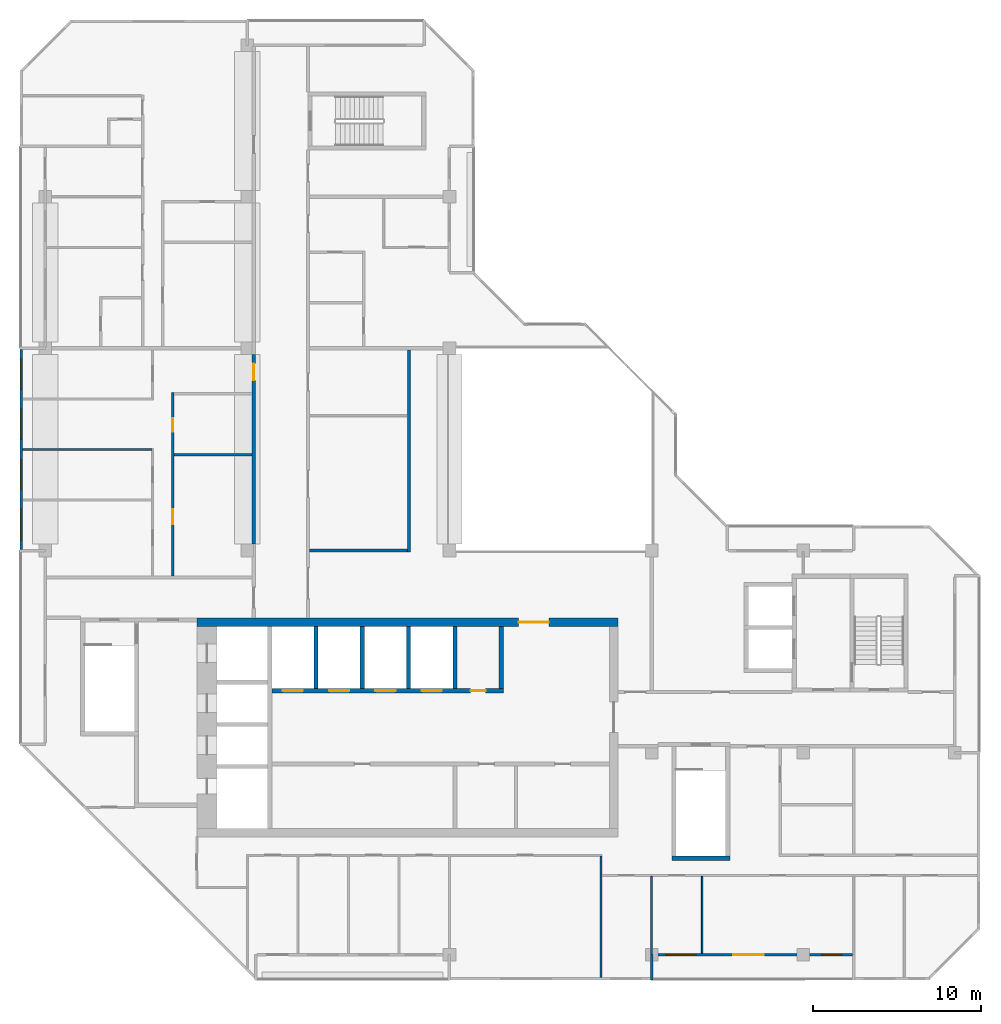
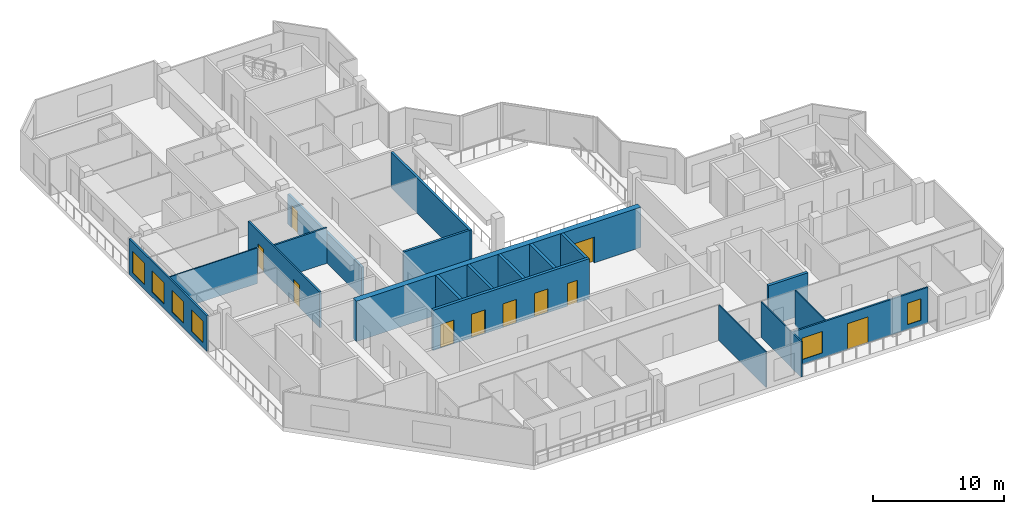
# One storey, part 5 of 11: 20 walls, 10 doors, 6 windows, 16 openings.
"""IFC4 building model written with IfcOpenShell, lengths in metres."""

from ifc_helpers import new_model, si_unit, direction, frame, frame_2d, origin, place, context, subcontext, project, spatial, rectangle, extrude, material, layer, layer_set, type_object, element, fill, save


model = new_model("IFC4")

# Units and contexts
model_context = context("Model", 3, precision=1e-05, world=origin(), true_north=direction((0.0, 1.0)))
body_context = subcontext(model_context, "Body", "Model", "MODEL_VIEW")
ifc_project = project(units=[si_unit("LENGTHUNIT", "METRE"), si_unit("AREAUNIT", "SQUARE_METRE"), si_unit("VOLUMEUNIT", "CUBIC_METRE"), si_unit("PLANEANGLEUNIT", "RADIAN"), si_unit("MASSUNIT", "GRAM", prefix="KILO")], contexts=[model_context])

# Site, building, storey
site_placement = place(None, origin())
site = spatial("IfcSite", under=ifc_project, at=site_placement, CompositionType="ELEMENT")
building_placement = place(site_placement, origin())
building = spatial("IfcBuilding", under=site, at=building_placement, Name="Chenar Terraces", CompositionType="ELEMENT")
storey_placement = place(building_placement, frame((0.0, 0.0, 380.14990234375)))
storey = spatial("IfcBuildingStorey", under=building, at=storey_placement, Name="L89", CompositionType="ELEMENT", Elevation=380.14990234375)

# Wall, openings, doors
ifc_material_1 = material(Name="Concrete C50/60", Category="concrete")
ifc_layer_1 = layer(ifc_material_1, 0.25)
ifc_layer_set_1 = layer_set([ifc_layer_1], Name="Concrete C50/60")
wall_type_1 = type_object("IfcWallType", Name="Core wall 250 Concrete C50/60", PredefinedType="SHEAR", material=ifc_layer_set_1)
wall_1_placement = place(storey_placement, frame((13.449951171875, 15.675048828125, 0.0), z_axis=(0.0, 0.0, 1.0), x_axis=(1.0, 0.0, 0.0)))
wall_1 = element("IfcWall", 1, at=wall_1_placement, inside=storey, type_object=wall_type_1, Name="Core wall NF L89", PredefinedType="SHEAR", context=body_context, shape_type="SweptSolid", body=[
    extrude(rectangle(XDim=13.75, YDim=0.25, at=frame_2d((6.875, 0.0))), origin(), (0.0, 0.0, 1.0), 3.75),
])
opening_1_placement = place(wall_1_placement, frame((0.64990234375, 0.0, 0.0)))
opening_1 = element("IfcOpeningElement", 2, at=opening_1_placement, cuts=wall_1, Name="Opening DL89-LD1", PredefinedType="OPENING", context=body_context, shape_type="SweptSolid", body=[
    extrude(rectangle(XDim=1.199951171875, YDim=2.199951171875, at=frame_2d((0.60009765625, 1.10009765625))), frame((0.0, 0.135009765625, 0.0), z_axis=(0.0, -1.0, 0.0), x_axis=(1.0, 0.0, 0.0)), (0.0, 0.0, 1.0), 0.27001953125),
])
opening_2_placement = place(wall_1_placement, frame((3.39990234375, 0.0, 0.0)))
opening_2 = element("IfcOpeningElement", 3, at=opening_2_placement, cuts=wall_1, Name="Opening DL89-LD2", PredefinedType="OPENING", context=body_context, shape_type="SweptSolid", body=[
    extrude(rectangle(XDim=1.199951171875, YDim=2.199951171875, at=frame_2d((0.60009765625, 1.10009765625))), frame((0.0, 0.135009765625, 0.0), z_axis=(0.0, -1.0, 0.0), x_axis=(1.0, 0.0, 0.0)), (0.0, 0.0, 1.0), 0.27001953125),
])
opening_3_placement = place(wall_1_placement, frame((6.14990234375, 0.0, 0.0)))
opening_3 = element("IfcOpeningElement", 4, at=opening_3_placement, cuts=wall_1, Name="Opening DL89-LD3", PredefinedType="OPENING", context=body_context, shape_type="SweptSolid", body=[
    extrude(rectangle(XDim=1.199951171875, YDim=2.199951171875, at=frame_2d((0.60009765625, 1.10009765625))), frame((0.0, 0.135009765625, 0.0), z_axis=(0.0, -1.0, 0.0), x_axis=(1.0, 0.0, 0.0)), (0.0, 0.0, 1.0), 0.27001953125),
])
opening_4_placement = place(wall_1_placement, frame((8.89990234375, 0.0, 0.0)))
opening_4 = element("IfcOpeningElement", 5, at=opening_4_placement, cuts=wall_1, Name="Opening DL89-LD4", PredefinedType="OPENING", context=body_context, shape_type="SweptSolid", body=[
    extrude(rectangle(XDim=1.199951171875, YDim=2.199951171875, at=frame_2d((0.60009765625, 1.10009765625))), frame((0.0, 0.135009765625, 0.0), z_axis=(0.0, -1.0, 0.0), x_axis=(1.0, 0.0, 0.0)), (0.0, 0.0, 1.0), 0.27001953125),
])
opening_5_placement = place(wall_1_placement, frame((11.800048828125, 0.0, 0.0)))
opening_5 = element("IfcOpeningElement", 6, at=opening_5_placement, cuts=wall_1, Name="Opening DL89-C15", PredefinedType="OPENING", context=body_context, shape_type="SweptSolid", body=[
    extrude(rectangle(XDim=0.89990234375, YDim=2.10009765625, at=frame_2d((0.449951171875, 1.050048828125))), frame((0.0, 0.135009765625, 0.0), z_axis=(0.0, -1.0, 0.0), x_axis=(1.0, 0.0, 0.0)), (0.0, 0.0, 1.0), 0.27001953125),
])
ifc_material_2 = material(Name="Stainless steel", Category="steel")
door_type_1 = type_object("IfcDoorType", Name="Lift landing door 1200 x 2200 sliding", OperationType="DOUBLE_DOOR_SLIDING", PredefinedType="DOOR", material=ifc_material_2)
door_1_placement = place(opening_1_placement, origin())
door_1 = element("IfcDoor", 7, at=door_1_placement, inside=storey, type_object=door_type_1, Name="Landing door H1", OperationType="DOUBLE_DOOR_SLIDING", OverallHeight=2.199951171875, OverallWidth=1.199951171875, PredefinedType="DOOR", context=body_context, shape_type="SweptSolid", body=[
    extrude(rectangle(XDim=1.199951171875, YDim=2.199951171875, at=frame_2d((0.60009765625, 1.10009765625))), frame((0.0, 0.02490234375, 0.0), z_axis=(0.0, -1.0, 0.0), x_axis=(1.0, 0.0, 0.0)), (0.0, 0.0, 1.0), 0.050048828125),
])
fill(opening_1, door_1)
door_2_placement = place(opening_2_placement, origin())
door_2 = element("IfcDoor", 8, at=door_2_placement, inside=storey, type_object=door_type_1, Name="Landing door H2", OperationType="DOUBLE_DOOR_SLIDING", OverallHeight=2.199951171875, OverallWidth=1.199951171875, PredefinedType="DOOR", context=body_context, shape_type="SweptSolid", body=[
    extrude(rectangle(XDim=1.199951171875, YDim=2.199951171875, at=frame_2d((0.60009765625, 1.10009765625))), frame((0.0, 0.02490234375, 0.0), z_axis=(0.0, -1.0, 0.0), x_axis=(1.0, 0.0, 0.0)), (0.0, 0.0, 1.0), 0.050048828125),
])
fill(opening_2, door_2)
door_3_placement = place(opening_3_placement, origin())
door_3 = element("IfcDoor", 9, at=door_3_placement, inside=storey, type_object=door_type_1, Name="Landing door H3", OperationType="DOUBLE_DOOR_SLIDING", OverallHeight=2.199951171875, OverallWidth=1.199951171875, PredefinedType="DOOR", context=body_context, shape_type="SweptSolid", body=[
    extrude(rectangle(XDim=1.199951171875, YDim=2.199951171875, at=frame_2d((0.60009765625, 1.10009765625))), frame((0.0, 0.02490234375, 0.0), z_axis=(0.0, -1.0, 0.0), x_axis=(1.0, 0.0, 0.0)), (0.0, 0.0, 1.0), 0.050048828125),
])
fill(opening_3, door_3)
door_4_placement = place(opening_4_placement, origin())
door_4 = element("IfcDoor", 10, at=door_4_placement, inside=storey, type_object=door_type_1, Name="Landing door H4", OperationType="DOUBLE_DOOR_SLIDING", OverallHeight=2.199951171875, OverallWidth=1.199951171875, PredefinedType="DOOR", context=body_context, shape_type="SweptSolid", body=[
    extrude(rectangle(XDim=1.199951171875, YDim=2.199951171875, at=frame_2d((0.60009765625, 1.10009765625))), frame((0.0, 0.02490234375, 0.0), z_axis=(0.0, -1.0, 0.0), x_axis=(1.0, 0.0, 0.0)), (0.0, 0.0, 1.0), 0.050048828125),
])
fill(opening_4, door_4)
ifc_material_3 = material(Name="Steel-framed fire-resisting door leaf", Category="steel")
door_type_2 = type_object("IfcDoorType", Name="Riser fire door FD60 900 x 2100", OperationType="SINGLE_SWING_LEFT", PredefinedType="DOOR", material=ifc_material_3)
door_5_placement = place(opening_5_placement, origin())
door_5 = element("IfcDoor", 11, at=door_5_placement, inside=storey, type_object=door_type_2, Name="Core room door DL89-C15", OperationType="SINGLE_SWING_RIGHT", OverallHeight=2.10009765625, OverallWidth=0.89990234375, PredefinedType="DOOR", context=body_context, shape_type="SweptSolid", body=[
    extrude(rectangle(XDim=0.89990234375, YDim=2.10009765625, at=frame_2d((0.449951171875, 1.050048828125))), frame((0.0, 0.02490234375, 0.0), z_axis=(0.0, -1.0, 0.0), x_axis=(1.0, 0.0, 0.0)), (0.0, 0.0, 1.0), 0.050048828125),
])
fill(opening_5, door_5)

# Walls
for number, where, z_axis, x_axis, name in (
    (12, (16.074951171875, 15.800048828125, 0.0), (0.0, 0.0, 1.0), (0.0, 1.0, 0.0), "Core wall NS0 L89"),
    (13, (18.824951171875, 15.800048828125, 0.0), (0.0, 0.0, 1.0), (0.0, 1.0, 0.0), "Core wall NS1 L89"),
    (14, (21.574951171875, 15.800048828125, 0.0), (0.0, 0.0, 1.0), (0.0, 1.0, 0.0), "Core wall NS2 L89"),
    (15, (24.324951171875, 15.800048828125, 0.0), (0.0, 0.0, 1.0), (0.0, 1.0, 0.0), "Core wall NS3 L89"),
    (16, (27.074951171875, 15.800048828125, 0.0), (0.0, 0.0, 1.0), (0.0, 1.0, 0.0), "Core wall NE L89"),
):
    element("IfcWall", number, at=place(storey_placement, frame(where, z_axis=z_axis, x_axis=x_axis)), inside=storey, type_object=wall_type_1, Name=name, PredefinedType="SHEAR", context=body_context, shape_type="SweptSolid", body=[
        extrude(rectangle(XDim=3.699951171875, YDim=0.25, at=frame_2d((1.85009765625, 0.0))), origin(), (0.0, 0.0, 1.0), 3.75),
    ])
wall_2_placement = place(storey_placement, frame((37.199951171875, 5.72509765625, 0.0), z_axis=(0.0, 0.0, 1.0), x_axis=(1.0, 0.0, 0.0)))
element("IfcWall", 17, at=wall_2_placement, inside=storey, type_object=wall_type_1, Name="Core wall ST2_S L89", PredefinedType="SHEAR", context=body_context, shape_type="SweptSolid", body=[
    extrude(rectangle(XDim=3.449951171875, YDim=0.25, at=frame_2d((1.72509765625, 0.0))), origin(), (0.0, 0.0, 1.0), 3.75),
])

# Wall, opening, door
ifc_material_4 = material(Name="Concrete C50/60", Category="concrete")
ifc_layer_2 = layer(ifc_material_4, 0.5)
ifc_layer_set_2 = layer_set([ifc_layer_2], Name="Concrete C50/60")
wall_type_2 = type_object("IfcWallType", Name="Core wall 500 Concrete C50/60", PredefinedType="SHEAR", material=ifc_layer_set_2)
wall_3_placement = place(storey_placement, frame((9.0, 19.75, 0.0), z_axis=(0.0, 0.0, 1.0), x_axis=(1.0, 0.0, 0.0)))
wall_3 = element("IfcWall", 18, at=wall_3_placement, inside=storey, type_object=wall_type_2, Name="Core wall N L89", PredefinedType="SHEAR", context=body_context, shape_type="SweptSolid", body=[
    extrude(rectangle(XDim=25.0, YDim=0.5, at=frame_2d((12.5, 0.0))), origin(), (0.0, 0.0, 1.0), 3.75),
])
opening_6_placement = place(wall_3_placement, frame((19.10009765625, 0.0, 0.0)))
opening_6 = element("IfcOpeningElement", 19, at=opening_6_placement, cuts=wall_3, Name="Opening DL89-C2", PredefinedType="OPENING", context=body_context, shape_type="SweptSolid", body=[
    extrude(rectangle(XDim=1.800048828125, YDim=2.39990234375, at=frame_2d((0.89990234375, 1.199951171875))), frame((0.0, 0.260009765625, 0.0), z_axis=(0.0, -1.0, 0.0), x_axis=(1.0, 0.0, 0.0)), (0.0, 0.0, 1.0), 0.52001953125),
])
ifc_material_5 = material(Name="Steel-framed fire-resisting door leaf", Category="steel")
door_type_3 = type_object("IfcDoorType", Name="Core entrance double fire door FD60 1800 x 2400", OperationType="DOUBLE_DOOR_SINGLE_SWING", PredefinedType="DOOR", material=ifc_material_5)
door_6_placement = place(opening_6_placement, frame((1.800048828125, 0.0, 0.0), z_axis=(0.0, 0.0, 1.0), x_axis=(-1.0, 0.0, 0.0)))
door_6 = element("IfcDoor", 20, at=door_6_placement, inside=storey, type_object=door_type_3, Name="Core door DL89-C2", OperationType="DOUBLE_DOOR_SINGLE_SWING", OverallHeight=2.39990234375, OverallWidth=1.800048828125, PredefinedType="DOOR", context=body_context, shape_type="SweptSolid", body=[
    extrude(rectangle(XDim=1.800048828125, YDim=2.39990234375, at=frame_2d((0.89990234375, 1.199951171875))), frame((0.0, 0.02490234375, 0.0), z_axis=(0.0, -1.0, 0.0), x_axis=(1.0, 0.0, 0.0)), (0.0, 0.0, 1.0), 0.050048828125),
])
fill(opening_6, door_6)

# Walls
ifc_material_6 = material(Name="Gypsum board on steel studs with fire boards", Category="steel")
ifc_layer_3 = layer(ifc_material_6, 0.199951171875)
ifc_layer_set_3 = layer_set([ifc_layer_3], Name="Gypsum board on steel studs with fire boards")
wall_type_3 = type_object("IfcWallType", Name="Corridor wall 200", PredefinedType="PARTITIONING", material=ifc_layer_set_3)
wall_4_placement = place(storey_placement, frame((15.699951171875, 24.0, 0.0), z_axis=(0.0, 0.0, 1.0), x_axis=(1.0, 0.0, 0.0)))
element("IfcWall", 21, at=wall_4_placement, inside=storey, type_object=wall_type_3, Name="Partition L89-033", PredefinedType="PARTITIONING", context=body_context, shape_type="SweptSolid", body=[
    extrude(rectangle(XDim=5.800048828125, YDim=0.199951171875, at=frame_2d((2.89990234375, 0.0))), origin(), (0.0, 0.0, 1.0), 3.300048828125),
])
wall_5_placement = place(storey_placement, frame((21.60009765625, 23.89990234375, 0.0), z_axis=(0.0, 0.0, 1.0), x_axis=(0.0, 1.0, 0.0)))
element("IfcWall", 22, at=wall_5_placement, inside=storey, type_object=wall_type_3, Name="Partition L89-044", PredefinedType="PARTITIONING", context=body_context, shape_type="SweptSolid", body=[
    extrude(rectangle(XDim=12.0, YDim=0.199951171875, at=frame_2d((6.0, 0.0))), origin(), (0.0, 0.0, 1.0), 3.300048828125),
])

# Wall, opening, door
wall_6_placement = place(storey_placement, frame((12.375, 24.375, 0.0), z_axis=(0.0, 0.0, 1.0), x_axis=(0.0, 1.0, 0.0)))
wall_6 = element("IfcWall", 23, at=wall_6_placement, inside=storey, type_object=wall_type_3, Name="Partition L89-029", PredefinedType="PARTITIONING", context=body_context, shape_type="SweptSolid", body=[
    extrude(rectangle(XDim=11.25, YDim=0.199951171875, at=frame_2d((5.625, 0.0))), origin(), (0.0, 0.0, 1.0), 2.800048828125),
])
opening_7_placement = place(wall_6_placement, frame((9.72509765625, 0.0, 0.0)))
opening_7 = element("IfcOpeningElement", 24, at=opening_7_placement, cuts=wall_6, Name="Opening DL89-43", PredefinedType="OPENING", context=body_context, shape_type="SweptSolid", body=[
    extrude(rectangle(XDim=1.0, YDim=2.10009765625, at=frame_2d((0.5, 1.050048828125))), frame((0.0, 0.10986328125, 0.0), z_axis=(0.0, -1.0, 0.0), x_axis=(1.0, 0.0, 0.0)), (0.0, 0.0, 1.0), 0.219970703125),
])
ifc_material_7 = material(Name="Steel-framed fire-resisting door leaf", Category="steel")
door_type_4 = type_object("IfcDoorType", Name="Fire door FD30S 1000 x 2100", OperationType="SINGLE_SWING_LEFT", PredefinedType="DOOR", material=ifc_material_7)
door_7_placement = place(opening_7_placement, origin())
door_7 = element("IfcDoor", 25, at=door_7_placement, inside=storey, type_object=door_type_4, Name="Door DL89-43", OperationType="SINGLE_SWING_RIGHT", OverallHeight=2.10009765625, OverallWidth=1.0, PredefinedType="DOOR", context=body_context, shape_type="SweptSolid", body=[
    extrude(rectangle(XDim=1.0, YDim=2.10009765625, at=frame_2d((0.5, 1.050048828125))), frame((0.0, 0.02490234375, 0.0), z_axis=(0.0, -1.0, 0.0), x_axis=(1.0, 0.0, 0.0)), (0.0, 0.0, 1.0), 0.050048828125),
])
fill(opening_7, door_7)

# Wall, openings, windows
ifc_material_8 = material(Name="Aluminium framed glazing", Category="aluminium")
ifc_layer_4 = layer(ifc_material_8, 0.14990234375)
ifc_layer_set_4 = layer_set([ifc_layer_4], Name="Aluminium framed glazing")
wall_type_4 = type_object("IfcWallType", Name="Glazed flush facade wall 150", PredefinedType="SOLIDWALL", material=ifc_layer_set_4)
wall_7_placement = place(storey_placement, frame((-1.425048828125, 35.925048828125, 0.0), z_axis=(0.0, 0.0, 1.0), x_axis=(0.0, -1.0, 0.0)))
wall_7 = element("IfcWall", 26, at=wall_7_placement, inside=storey, type_object=wall_type_4, Name="Glazed flush facade wall", PredefinedType="SOLIDWALL", context=body_context, shape_type="SweptSolid", body=[
    extrude(rectangle(XDim=11.85009765625, YDim=0.14990234375, at=frame_2d((5.925048828125, 0.0))), origin(), (0.0, 0.0, 1.0), 3.300048828125),
])
opening_8_placement = place(wall_7_placement, frame((0.5625, 0.0, 0.449951171875)))
opening_8 = element("IfcOpeningElement", 27, at=opening_8_placement, cuts=wall_7, Name="Opening W180x200", PredefinedType="OPENING", context=body_context, shape_type="SweptSolid", body=[
    extrude(rectangle(XDim=1.800048828125, YDim=2.0, at=frame_2d((0.89990234375, 1.0))), frame((0.0, 0.0849609375, 0.0), z_axis=(0.0, -1.0, 0.0), x_axis=(1.0, 0.0, 0.0)), (0.0, 0.0, 1.0), 0.169921875),
])
opening_9_placement = place(wall_7_placement, frame((3.52490234375, 0.0, 0.449951171875)))
opening_9 = element("IfcOpeningElement", 28, at=opening_9_placement, cuts=wall_7, Name="Opening W180x200", PredefinedType="OPENING", context=body_context, shape_type="SweptSolid", body=[
    extrude(rectangle(XDim=1.800048828125, YDim=2.0, at=frame_2d((0.89990234375, 1.0))), frame((0.0, 0.0849609375, 0.0), z_axis=(0.0, -1.0, 0.0), x_axis=(1.0, 0.0, 0.0)), (0.0, 0.0, 1.0), 0.169921875),
])
opening_10_placement = place(wall_7_placement, frame((6.52490234375, 0.0, 0.449951171875)))
opening_10 = element("IfcOpeningElement", 29, at=opening_10_placement, cuts=wall_7, Name="Opening W180x200", PredefinedType="OPENING", context=body_context, shape_type="SweptSolid", body=[
    extrude(rectangle(XDim=1.800048828125, YDim=2.0, at=frame_2d((0.89990234375, 1.0))), frame((0.0, 0.0849609375, 0.0), z_axis=(0.0, -1.0, 0.0), x_axis=(1.0, 0.0, 0.0)), (0.0, 0.0, 1.0), 0.169921875),
])
opening_11_placement = place(wall_7_placement, frame((9.487548828125, 0.0, 0.449951171875)))
opening_11 = element("IfcOpeningElement", 30, at=opening_11_placement, cuts=wall_7, Name="Opening W180x200", PredefinedType="OPENING", context=body_context, shape_type="SweptSolid", body=[
    extrude(rectangle(XDim=1.800048828125, YDim=2.0, at=frame_2d((0.89990234375, 1.0))), frame((0.0, 0.0849609375, 0.0), z_axis=(0.0, -1.0, 0.0), x_axis=(1.0, 0.0, 0.0)), (0.0, 0.0, 1.0), 0.169921875),
])
ifc_material_9 = material(Name="Low emissivity double glazing, aluminium frame", Category="aluminium")
window_type_1 = type_object("IfcWindowType", Name="Fixed light 1800 x 2000", PartitioningType="SINGLE_PANEL", PredefinedType="WINDOW", material=ifc_material_9)
window_1_placement = place(opening_8_placement, origin())
window_1 = element("IfcWindow", 31, at=window_1_placement, inside=storey, type_object=window_type_1, Name="Window", OverallHeight=2.0, OverallWidth=1.800048828125, PartitioningType="SINGLE_PANEL", PredefinedType="WINDOW", context=body_context, shape_type="SweptSolid", body=[
    extrude(rectangle(XDim=1.800048828125, YDim=2.0, at=frame_2d((0.89990234375, 1.0))), frame((0.0, 0.030029296875, 0.0), z_axis=(0.0, -1.0, 0.0), x_axis=(1.0, 0.0, 0.0)), (0.0, 0.0, 1.0), 0.06005859375),
])
fill(opening_8, window_1)
window_2_placement = place(opening_9_placement, origin())
window_2 = element("IfcWindow", 32, at=window_2_placement, inside=storey, type_object=window_type_1, Name="Window", OverallHeight=2.0, OverallWidth=1.800048828125, PartitioningType="SINGLE_PANEL", PredefinedType="WINDOW", context=body_context, shape_type="SweptSolid", body=[
    extrude(rectangle(XDim=1.800048828125, YDim=2.0, at=frame_2d((0.89990234375, 1.0))), frame((0.0, 0.030029296875, 0.0), z_axis=(0.0, -1.0, 0.0), x_axis=(1.0, 0.0, 0.0)), (0.0, 0.0, 1.0), 0.06005859375),
])
fill(opening_9, window_2)
window_3_placement = place(opening_10_placement, origin())
window_3 = element("IfcWindow", 33, at=window_3_placement, inside=storey, type_object=window_type_1, Name="Window", OverallHeight=2.0, OverallWidth=1.800048828125, PartitioningType="SINGLE_PANEL", PredefinedType="WINDOW", context=body_context, shape_type="SweptSolid", body=[
    extrude(rectangle(XDim=1.800048828125, YDim=2.0, at=frame_2d((0.89990234375, 1.0))), frame((0.0, 0.030029296875, 0.0), z_axis=(0.0, -1.0, 0.0), x_axis=(1.0, 0.0, 0.0)), (0.0, 0.0, 1.0), 0.06005859375),
])
fill(opening_10, window_3)
window_4_placement = place(opening_11_placement, origin())
window_4 = element("IfcWindow", 34, at=window_4_placement, inside=storey, type_object=window_type_1, Name="Window", OverallHeight=2.0, OverallWidth=1.800048828125, PartitioningType="SINGLE_PANEL", PredefinedType="WINDOW", context=body_context, shape_type="SweptSolid", body=[
    extrude(rectangle(XDim=1.800048828125, YDim=2.0, at=frame_2d((0.89990234375, 1.0))), frame((0.0, 0.030029296875, 0.0), z_axis=(0.0, -1.0, 0.0), x_axis=(1.0, 0.0, 0.0)), (0.0, 0.0, 1.0), 0.06005859375),
])
fill(opening_11, window_4)

# Wall, openings, windows, door
ifc_material_10 = material(Name="Aluminium framed glazing", Category="aluminium")
ifc_layer_5 = layer(ifc_material_10, 0.14990234375)
ifc_layer_set_5 = layer_set([ifc_layer_5], Name="Aluminium framed glazing")
wall_type_5 = type_object("IfcWallType", Name="Glazed loggia back wall 150", PredefinedType="SOLIDWALL", material=ifc_layer_set_5)
wall_8_placement = place(storey_placement, frame((36.074951171875, 0.0, 0.0), z_axis=(0.0, 0.0, 1.0), x_axis=(1.0, 0.0, 0.0)))
wall_8 = element("IfcWall", 35, at=wall_8_placement, inside=storey, type_object=wall_type_5, Name="Glazed loggia back wall", PredefinedType="SOLIDWALL", context=body_context, shape_type="SweptSolid", body=[
    extrude(rectangle(XDim=11.85009765625, YDim=0.14990234375, at=frame_2d((5.925048828125, 0.0))), origin(), (0.0, 0.0, 1.0), 3.300048828125),
])
opening_12_placement = place(wall_8_placement, frame((0.762451171875, 0.0, 0.449951171875)))
opening_12 = element("IfcOpeningElement", 36, at=opening_12_placement, cuts=wall_8, Name="Opening W180x200", PredefinedType="OPENING", context=body_context, shape_type="SweptSolid", body=[
    extrude(rectangle(XDim=1.800048828125, YDim=2.0, at=frame_2d((0.89990234375, 1.0))), frame((0.0, 0.0849609375, 0.0), z_axis=(0.0, -1.0, 0.0), x_axis=(1.0, 0.0, 0.0)), (0.0, 0.0, 1.0), 0.169921875),
])
opening_13_placement = place(wall_8_placement, frame((4.78759765625, 0.0, 0.0)))
opening_13 = element("IfcOpeningElement", 37, at=opening_13_placement, cuts=wall_8, Name="Opening DL89-G4", PredefinedType="OPENING", context=body_context, shape_type="SweptSolid", body=[
    extrude(rectangle(XDim=1.800048828125, YDim=2.39990234375, at=frame_2d((0.89990234375, 1.199951171875))), frame((0.0, 0.0849609375, 0.0), z_axis=(0.0, -1.0, 0.0), x_axis=(1.0, 0.0, 0.0)), (0.0, 0.0, 1.0), 0.169921875),
])
opening_14_placement = place(wall_8_placement, frame((10.02490234375, 0.0, 0.449951171875)))
opening_14 = element("IfcOpeningElement", 38, at=opening_14_placement, cuts=wall_8, Name="Opening W120x200", PredefinedType="OPENING", context=body_context, shape_type="SweptSolid", body=[
    extrude(rectangle(XDim=1.199951171875, YDim=2.0, at=frame_2d((0.60009765625, 1.0))), frame((0.0, 0.0849609375, 0.0), z_axis=(0.0, -1.0, 0.0), x_axis=(1.0, 0.0, 0.0)), (0.0, 0.0, 1.0), 0.169921875),
])
ifc_material_11 = material(Name="Low emissivity double glazing, aluminium frame", Category="aluminium")
window_type_2 = type_object("IfcWindowType", Name="Fixed light 1200 x 2000", PartitioningType="SINGLE_PANEL", PredefinedType="WINDOW", material=ifc_material_11)
window_5_placement = place(opening_14_placement, origin())
window_5 = element("IfcWindow", 39, at=window_5_placement, inside=storey, type_object=window_type_2, Name="Window", OverallHeight=2.0, OverallWidth=1.199951171875, PartitioningType="SINGLE_PANEL", PredefinedType="WINDOW", context=body_context, shape_type="SweptSolid", body=[
    extrude(rectangle(XDim=1.199951171875, YDim=2.0, at=frame_2d((0.60009765625, 1.0))), frame((0.0, 0.030029296875, 0.0), z_axis=(0.0, -1.0, 0.0), x_axis=(1.0, 0.0, 0.0)), (0.0, 0.0, 1.0), 0.06005859375),
])
fill(opening_14, window_5)
window_6_placement = place(opening_12_placement, origin())
window_6 = element("IfcWindow", 40, at=window_6_placement, inside=storey, type_object=window_type_1, Name="Window", OverallHeight=2.0, OverallWidth=1.800048828125, PartitioningType="SINGLE_PANEL", PredefinedType="WINDOW", context=body_context, shape_type="SweptSolid", body=[
    extrude(rectangle(XDim=1.800048828125, YDim=2.0, at=frame_2d((0.89990234375, 1.0))), frame((0.0, 0.030029296875, 0.0), z_axis=(0.0, -1.0, 0.0), x_axis=(1.0, 0.0, 0.0)), (0.0, 0.0, 1.0), 0.06005859375),
])
fill(opening_12, window_6)
ifc_material_12 = material(Name="Low emissivity double glazing, aluminium frame", Category="aluminium")
door_type_5 = type_object("IfcDoorType", Name="Loggia glazed double door 1800 x 2400", OperationType="DOUBLE_DOOR_SINGLE_SWING", PredefinedType="DOOR", material=ifc_material_12)
door_8_placement = place(opening_13_placement, frame((1.800048828125, 0.0, 0.0), z_axis=(0.0, 0.0, 1.0), x_axis=(-1.0, 0.0, 0.0)))
door_8 = element("IfcDoor", 41, at=door_8_placement, inside=storey, type_object=door_type_5, Name="Loggia glazed door", OperationType="DOUBLE_DOOR_SINGLE_SWING", OverallHeight=2.39990234375, OverallWidth=1.800048828125, PredefinedType="DOOR", context=body_context, shape_type="SweptSolid", body=[
    extrude(rectangle(XDim=1.800048828125, YDim=2.39990234375, at=frame_2d((0.89990234375, 1.199951171875))), frame((0.0, 0.02490234375, 0.0), z_axis=(0.0, -1.0, 0.0), x_axis=(1.0, 0.0, 0.0)), (0.0, 0.0, 1.0), 0.050048828125),
])
fill(opening_13, door_8)

# Walls
ifc_material_13 = material(Name="Gypsum board on steel studs", Category="steel")
ifc_layer_6 = layer(ifc_material_13, 0.10009765625)
ifc_layer_set_6 = layer_set([ifc_layer_6], Name="Gypsum board on steel studs")
wall_type_6 = type_object("IfcWallType", Name="Gypsum partition 100", PredefinedType="PARTITIONING", material=ifc_layer_set_6)
wall_9_placement = place(storey_placement, frame((-1.35009765625, 30.0, 0.0), z_axis=(0.0, 0.0, 1.0), x_axis=(1.0, 0.0, 0.0)))
element("IfcWall", 42, at=wall_9_placement, inside=storey, type_object=wall_type_6, Name="Partition L89-002", PredefinedType="PARTITIONING", context=body_context, shape_type="SweptSolid", body=[
    extrude(rectangle(XDim=7.675048828125, YDim=0.10009765625, at=frame_2d((3.83740234375, 0.0))), origin(), (0.0, 0.0, 1.0), 3.300048828125),
])
wall_10_placement = place(storey_placement, frame((33.0, -1.35009765625, 0.0), z_axis=(0.0, 0.0, 1.0), x_axis=(0.0, 1.0, 0.0)))
element("IfcWall", 43, at=wall_10_placement, inside=storey, type_object=wall_type_6, Name="Partition L89-046", PredefinedType="PARTITIONING", context=body_context, shape_type="SweptSolid", body=[
    extrude(rectangle(XDim=7.2001953125, YDim=0.10009765625, at=frame_2d((3.60009765625, 0.0))), origin(), (0.0, 0.0, 1.0), 3.300048828125),
])
wall_11_placement = place(storey_placement, frame((36.0, 0.0, 0.0), z_axis=(0.0, 0.0, 1.0), x_axis=(0.0, 1.0, 0.0)))
element("IfcWall", 44, at=wall_11_placement, inside=storey, type_object=wall_type_6, Name="Partition L89-050", PredefinedType="PARTITIONING", context=body_context, shape_type="SweptSolid", body=[
    extrude(rectangle(XDim=4.64990234375, YDim=0.10009765625, at=frame_2d((2.324951171875, 0.0))), origin(), (0.0, 0.0, 1.0), 3.300048828125),
])
wall_12_placement = place(storey_placement, frame((39.0, 0.073974609375, 0.0), z_axis=(0.0, 0.0, 1.0), x_axis=(0.0, 1.0, 0.0)))
element("IfcWall", 45, at=wall_12_placement, inside=storey, type_object=wall_type_6, Name="Partition L89-052", PredefinedType="PARTITIONING", context=body_context, shape_type="SweptSolid", body=[
    extrude(rectangle(XDim=4.575927734375, YDim=0.10009765625, at=frame_2d((2.2880859375, 0.0))), origin(), (0.0, 0.0, 1.0), 3.300048828125),
])
ifc_material_14 = material(Name="Terracotta cladding on insulated backing", Category="masonry")
ifc_layer_7 = layer(ifc_material_14, 0.14990234375)
ifc_layer_set_7 = layer_set([ifc_layer_7], Name="Terracotta cladding on insulated backing")
wall_type_7 = type_object("IfcWallType", Name="Loggia return wall 150", PredefinedType="SOLIDWALL", material=ifc_layer_set_7)
wall_13_placement = place(storey_placement, frame((36.0, -1.5, 0.0), z_axis=(0.0, 0.0, 1.0), x_axis=(0.0, 1.0, 0.0)))
element("IfcWall", 46, at=wall_13_placement, inside=storey, type_object=wall_type_7, Name="Loggia return wall", PredefinedType="SOLIDWALL", context=body_context, shape_type="SweptSolid", body=[
    extrude(rectangle(XDim=1.5, YDim=0.14990234375, at=frame_2d((0.75, 0.0))), origin(), (0.0, 0.0, 1.0), 3.300048828125),
])

# Wall, openings, doors
ifc_material_15 = material(Name="Moisture-resistant gypsum board on steel studs", Category="steel")
ifc_layer_8 = layer(ifc_material_15, 0.14990234375)
ifc_layer_set_8 = layer_set([ifc_layer_8], Name="Moisture-resistant gypsum board on steel studs")
wall_type_8 = type_object("IfcWallType", Name="Wet-room partition 150", PredefinedType="PARTITIONING", material=ifc_layer_set_8)
wall_14_placement = place(storey_placement, frame((7.574951171875, 22.5, 0.0), z_axis=(0.0, 0.0, 1.0), x_axis=(0.0, 1.0, 0.0)))
wall_14 = element("IfcWall", 47, at=wall_14_placement, inside=storey, type_object=wall_type_8, Name="Partition L89-022", PredefinedType="PARTITIONING", context=body_context, shape_type="SweptSolid", body=[
    extrude(rectangle(XDim=10.875, YDim=0.14990234375, at=frame_2d((5.4375, 0.0))), origin(), (0.0, 0.0, 1.0), 3.300048828125),
])
opening_15_placement = place(wall_14_placement, frame((8.550048828125, 0.0, 0.0)))
opening_15 = element("IfcOpeningElement", 48, at=opening_15_placement, cuts=wall_14, Name="Opening DL89-38", PredefinedType="OPENING", context=body_context, shape_type="SweptSolid", body=[
    extrude(rectangle(XDim=0.800048828125, YDim=2.10009765625, at=frame_2d((0.39990234375, 1.050048828125))), frame((0.0, 0.0849609375, 0.0), z_axis=(0.0, -1.0, 0.0), x_axis=(1.0, 0.0, 0.0)), (0.0, 0.0, 1.0), 0.169921875),
])
opening_16_placement = place(wall_14_placement, frame((3.050048828125, 0.0, 0.0)))
opening_16 = element("IfcOpeningElement", 49, at=opening_16_placement, cuts=wall_14, Name="Opening DL89-42", PredefinedType="OPENING", context=body_context, shape_type="SweptSolid", body=[
    extrude(rectangle(XDim=0.89990234375, YDim=2.10009765625, at=frame_2d((0.449951171875, 1.050048828125))), frame((0.0, 0.0849609375, 0.0), z_axis=(0.0, -1.0, 0.0), x_axis=(1.0, 0.0, 0.0)), (0.0, 0.0, 1.0), 0.169921875),
])
ifc_material_16 = material(Name="Veneered timber door leaf", Category="wood")
door_type_6 = type_object("IfcDoorType", Name="Door 800 x 2100", OperationType="SINGLE_SWING_LEFT", PredefinedType="DOOR", material=ifc_material_16)
door_9_placement = place(opening_15_placement, frame((0.800048828125, 0.0, 0.0), z_axis=(0.0, 0.0, 1.0), x_axis=(-1.0, 0.0, 0.0)))
door_9 = element("IfcDoor", 50, at=door_9_placement, inside=storey, type_object=door_type_6, Name="Door DL89-38", OperationType="SINGLE_SWING_RIGHT", OverallHeight=2.10009765625, OverallWidth=0.800048828125, PredefinedType="DOOR", context=body_context, shape_type="SweptSolid", body=[
    extrude(rectangle(XDim=0.800048828125, YDim=2.10009765625, at=frame_2d((0.39990234375, 1.050048828125))), frame((0.0, 0.02490234375, 0.0), z_axis=(0.0, -1.0, 0.0), x_axis=(1.0, 0.0, 0.0)), (0.0, 0.0, 1.0), 0.050048828125),
])
fill(opening_15, door_9)
ifc_material_17 = material(Name="Veneered timber door leaf", Category="wood")
door_type_7 = type_object("IfcDoorType", Name="Door 900 x 2100", OperationType="SINGLE_SWING_LEFT", PredefinedType="DOOR", material=ifc_material_17)
door_10_placement = place(opening_16_placement, frame((0.89990234375, 0.0, 0.0), z_axis=(0.0, 0.0, 1.0), x_axis=(-1.0, 0.0, 0.0)))
door_10 = element("IfcDoor", 51, at=door_10_placement, inside=storey, type_object=door_type_7, Name="Door DL89-42", OperationType="SINGLE_SWING_LEFT", OverallHeight=2.10009765625, OverallWidth=0.89990234375, PredefinedType="DOOR", context=body_context, shape_type="SweptSolid", body=[
    extrude(rectangle(XDim=0.89990234375, YDim=2.10009765625, at=frame_2d((0.449951171875, 1.050048828125))), frame((0.0, 0.02490234375, 0.0), z_axis=(0.0, -1.0, 0.0), x_axis=(1.0, 0.0, 0.0)), (0.0, 0.0, 1.0), 0.050048828125),
])
fill(opening_16, door_10)

# Wall
wall_15_placement = place(storey_placement, frame((7.64990234375, 29.699951171875, 0.0), z_axis=(0.0, 0.0, 1.0), x_axis=(1.0, 0.0, 0.0)))
element("IfcWall", 52, at=wall_15_placement, inside=storey, type_object=wall_type_8, Name="Partition L89-023", PredefinedType="PARTITIONING", context=body_context, shape_type="SweptSolid", body=[
    extrude(rectangle(XDim=4.625, YDim=0.14990234375, at=frame_2d((2.3125, 0.0))), origin(), (0.0, 0.0, 1.0), 3.300048828125),
])

save(model, "model.ifc")
